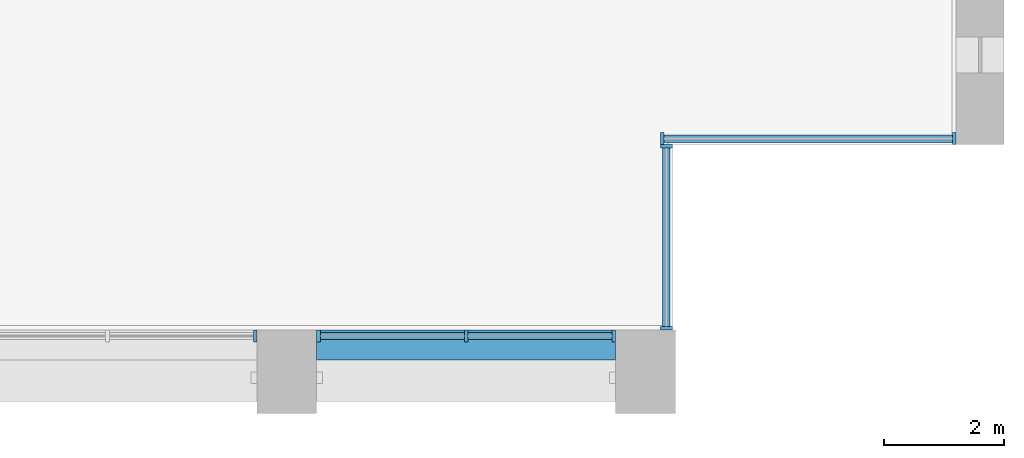
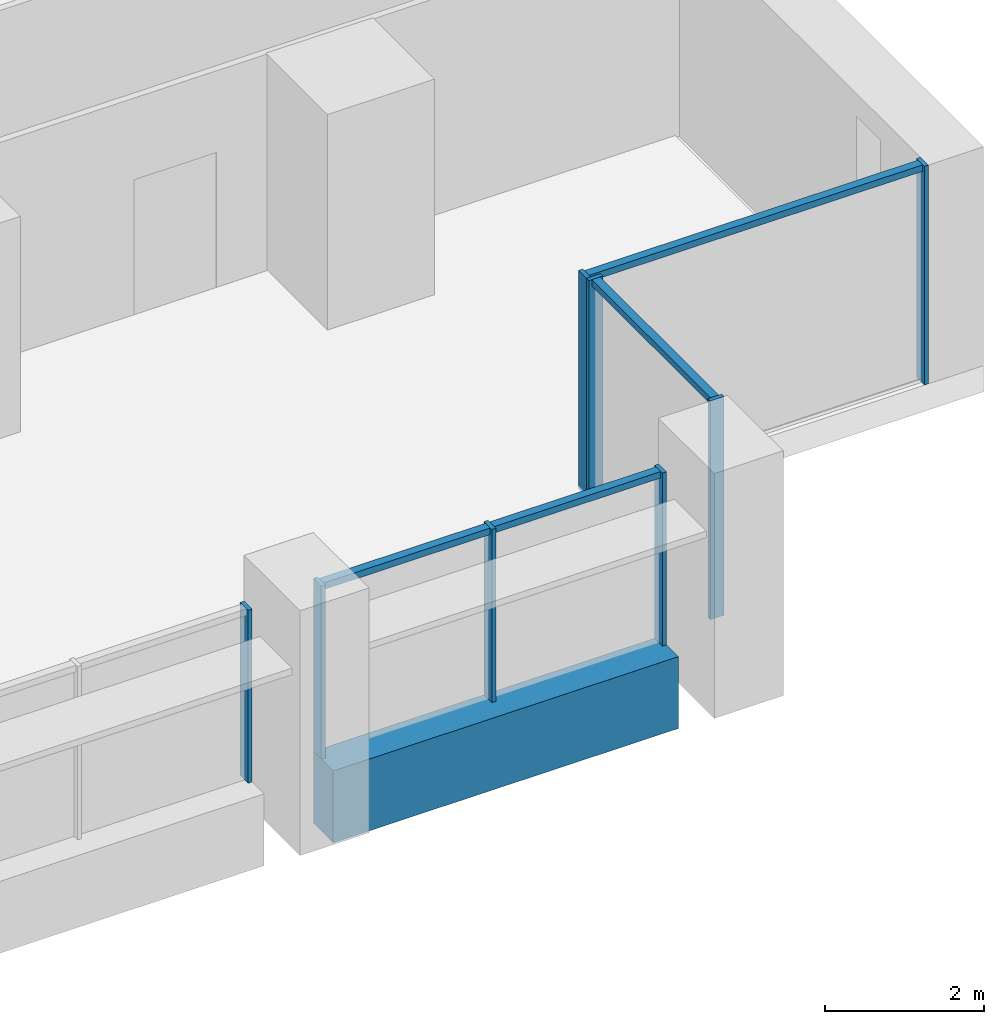
# One storey, part 5 of 17: 12 members, 1 beam, 4 elements without a shape of their own.
"""IFC4 building model written with IfcOpenShell, lengths in metres."""

from ifc_helpers import new_model, si_unit, direction, frame, origin, origin_2d, place, context, subcontext, project, spatial, rectangle, extrude, material, material_profile, profile_set, type_object, element, aggregate, save


model = new_model("IFC4")

# Units and contexts
model_context = context("Model", 3, precision=1e-05, world=origin(), true_north=direction((0.0, 1.0)))
body_context = subcontext(model_context, "Body", "Model", "MODEL_VIEW")
ifc_project = project(units=[si_unit("LENGTHUNIT", "METRE"), si_unit("AREAUNIT", "SQUARE_METRE"), si_unit("VOLUMEUNIT", "CUBIC_METRE"), si_unit("PLANEANGLEUNIT", "RADIAN"), si_unit("MASSUNIT", "GRAM", prefix="KILO")], contexts=[model_context])

# Site, building, storey
site_placement = place(None, origin())
site = spatial("IfcSite", under=ifc_project, at=site_placement, CompositionType="ELEMENT")
building_placement = place(site_placement, origin())
building = spatial("IfcBuilding", under=site, at=building_placement, Name="Calvaro Tower", CompositionType="ELEMENT")
storey_placement = place(building_placement, frame((0.0, 0.0, 75.0)))
storey = spatial("IfcBuildingStorey", under=building, at=storey_placement, Name="L18", CompositionType="ELEMENT", Elevation=75.0)

# Curtain wall, member
ifc_material_1 = material(Name="Anodised aluminium", Category="aluminium")
curtain_wall_type = type_object("IfcCurtainWallType", Name="Office curtain wall, lower zone", PredefinedType="NOTDEFINED", material=ifc_material_1)
curtain_wall_1_placement = place(storey_placement, origin())
curtain_wall_1 = element("IfcCurtainWall", 1, at=curtain_wall_1_placement, inside=storey, type_object=curtain_wall_type, Name="CW1 south curtain wall", PredefinedType="NOTDEFINED")
ifc_material_2 = material(Name="Anodised aluminium", Category="aluminium")
ifc_material_profile_1 = material_profile(ifc_material_2, rectangle(XDim=0.199951171875, YDim=0.06005859375, at=origin_2d()), Name="Mullion S1 60 x 200")
ifc_profile_set_1 = profile_set([ifc_material_profile_1], Name="Anodised aluminium")
member_type_1 = type_object("IfcMemberType", Name="Mullion S1 60 x 200", PredefinedType="MULLION", material=ifc_profile_set_1)
member_1_placement = place(storey_placement, frame((65.469970703125, 1.300048828125, 0.0), z_axis=(0.0, 0.0, 1.0), x_axis=(0.0, 1.0, 0.0)))
member_1 = element("IfcMember", 2, at=member_1_placement, type_object=member_type_1, Name="CW1 mullion 3", PredefinedType="MULLION", context=body_context, shape_type="SweptSolid", body=[
    extrude(rectangle(XDim=0.199951171875, YDim=0.06005859375, at=origin_2d()), origin(), (0.0, 0.0, 1.0), 2.64990234375),
])
aggregate(curtain_wall_1, [member_1])

# Curtain wall, members
curtain_wall_2_placement = place(storey_placement, origin())
curtain_wall_2 = element("IfcCurtainWall", 3, at=curtain_wall_2_placement, inside=storey, type_object=curtain_wall_type, Name="CW1 south curtain wall", PredefinedType="NOTDEFINED")
member_2_placement = place(storey_placement, frame((66.530029296875, 1.300048828125, 0.0), z_axis=(0.0, 0.0, 1.0), x_axis=(0.0, 1.0, 0.0)))
member_2 = element("IfcMember", 4, at=member_2_placement, type_object=member_type_1, Name="CW1 mullion 1", PredefinedType="MULLION", context=body_context, shape_type="SweptSolid", body=[
    extrude(rectangle(XDim=0.199951171875, YDim=0.06005859375, at=origin_2d()), origin(), (0.0, 0.0, 1.0), 2.64990234375),
])
member_3_placement = place(storey_placement, frame((69.0, 1.300048828125, 0.0), z_axis=(0.0, 0.0, 1.0), x_axis=(0.0, 1.0, 0.0)))
member_3 = element("IfcMember", 5, at=member_3_placement, type_object=member_type_1, Name="CW1 mullion 2", PredefinedType="MULLION", context=body_context, shape_type="SweptSolid", body=[
    extrude(rectangle(XDim=0.199951171875, YDim=0.06005859375, at=origin_2d()), origin(), (0.0, 0.0, 1.0), 2.64990234375),
])
member_4_placement = place(storey_placement, frame((71.469970703125, 1.300048828125, 0.0), z_axis=(0.0, 0.0, 1.0), x_axis=(0.0, 1.0, 0.0)))
member_4 = element("IfcMember", 6, at=member_4_placement, type_object=member_type_1, Name="CW1 mullion 3", PredefinedType="MULLION", context=body_context, shape_type="SweptSolid", body=[
    extrude(rectangle(XDim=0.199951171875, YDim=0.06005859375, at=origin_2d()), origin(), (0.0, 0.0, 1.0), 2.64990234375),
])

curtain_wall_3_placement = place(storey_placement, origin())
curtain_wall_3 = element("IfcCurtainWall", 7, at=curtain_wall_3_placement, inside=storey, type_object=curtain_wall_type, Name="CW1 corner curtain wall", PredefinedType="NOTDEFINED")
member_5_placement = place(storey_placement, frame((72.35009765625, 1.429931640625, 0.0), z_axis=(0.0, 0.0, 1.0), x_axis=(-1.0, 0.0, 0.0)))
member_5 = element("IfcMember", 8, at=member_5_placement, type_object=member_type_1, Name="CW1 mullion 1", PredefinedType="MULLION", context=body_context, shape_type="SweptSolid", body=[
    extrude(rectangle(XDim=0.199951171875, YDim=0.06005859375, at=origin_2d()), origin(), (0.0, 0.0, 1.0), 3.35009765625),
])
member_6_placement = place(storey_placement, frame((72.35009765625, 4.469970703125, 0.0), z_axis=(0.0, 0.0, 1.0), x_axis=(-1.0, 0.0, 0.0)))
member_6 = element("IfcMember", 9, at=member_6_placement, type_object=member_type_1, Name="CW1 mullion 2", PredefinedType="MULLION", context=body_context, shape_type="SweptSolid", body=[
    extrude(rectangle(XDim=0.199951171875, YDim=0.06005859375, at=origin_2d()), origin(), (0.0, 0.0, 1.0), 3.35009765625),
])

curtain_wall_4_placement = place(storey_placement, origin())
curtain_wall_4 = element("IfcCurtainWall", 10, at=curtain_wall_4_placement, inside=storey, type_object=curtain_wall_type, Name="CW1 corner curtain wall", PredefinedType="NOTDEFINED")
member_7_placement = place(storey_placement, frame((72.280029296875, 4.60009765625, 0.0), z_axis=(0.0, 0.0, 1.0), x_axis=(0.0, 1.0, 0.0)))
member_7 = element("IfcMember", 11, at=member_7_placement, type_object=member_type_1, Name="CW1 mullion 1", PredefinedType="MULLION", context=body_context, shape_type="SweptSolid", body=[
    extrude(rectangle(XDim=0.199951171875, YDim=0.06005859375, at=origin_2d()), origin(), (0.0, 0.0, 1.0), 3.35009765625),
])
member_8_placement = place(storey_placement, frame((77.169921875, 4.60009765625, 0.0), z_axis=(0.0, 0.0, 1.0), x_axis=(0.0, 1.0, 0.0)))
member_8 = element("IfcMember", 12, at=member_8_placement, type_object=member_type_1, Name="CW1 mullion 2", PredefinedType="MULLION", context=body_context, shape_type="SweptSolid", body=[
    extrude(rectangle(XDim=0.199951171875, YDim=0.06005859375, at=origin_2d()), origin(), (0.0, 0.0, 1.0), 3.35009765625),
])

# Beam
ifc_material_3 = material(Name="Concrete C50/60 precast", Category="concrete")
ifc_material_profile_2 = material_profile(ifc_material_3, rectangle(XDim=0.5, YDim=1.10009765625, at=origin_2d()), Name="RC 500x1100")
ifc_profile_set_2 = profile_set([ifc_material_profile_2], Name="Concrete C50/60 precast")
beam_type = type_object("IfcBeamType", Name="Spandrel beam 500x1100 C50/60", PredefinedType="SPANDREL", material=ifc_profile_set_2)
beam_placement = place(storey_placement, frame((66.5, 1.14990234375, -0.550048828125), z_axis=(1.0, 0.0, 0.0), x_axis=(0.0, 1.0, 0.0)))
element("IfcBeam", 13, at=beam_placement, inside=storey, type_object=beam_type, Name="Spandrel beam", PredefinedType="SPANDREL", context=body_context, shape_type="SweptSolid", body=[
    extrude(rectangle(XDim=0.5, YDim=1.10009765625, at=origin_2d()), origin(), (0.0, 0.0, 1.0), 5.0),
])

# Member
ifc_material_4 = material(Name="Anodised aluminium", Category="aluminium")
ifc_material_profile_3 = material_profile(ifc_material_4, rectangle(XDim=0.1201171875, YDim=0.10009765625, at=origin_2d()), Name="Transom S1 100 x 120")
ifc_profile_set_3 = profile_set([ifc_material_profile_3], Name="Anodised aluminium")
member_type_2 = type_object("IfcMemberType", Name="Transom S1 100 x 120", PredefinedType="USERDEFINED", material=ifc_profile_set_3)
member_9_placement = place(storey_placement, frame((66.56005859375, 1.300048828125, 2.60009765625), z_axis=(1.0, 0.0, 0.0), x_axis=(0.0, 1.0, 0.0)))
member_9 = element("IfcMember", 14, at=member_9_placement, type_object=member_type_2, Name="CW1 transom 1.1", ObjectType="TRANSOM", PredefinedType="USERDEFINED", context=body_context, shape_type="SweptSolid", body=[
    extrude(rectangle(XDim=0.1201171875, YDim=0.10009765625, at=origin_2d()), origin(), (0.0, 0.0, 1.0), 2.409912109375),
])

member_10_placement = place(storey_placement, frame((69.030029296875, 1.300048828125, 2.60009765625), z_axis=(1.0, 0.0, 0.0), x_axis=(0.0, 1.0, 0.0)))
member_10 = element("IfcMember", 15, at=member_10_placement, type_object=member_type_2, Name="CW1 transom 2.1", ObjectType="TRANSOM", PredefinedType="USERDEFINED", context=body_context, shape_type="SweptSolid", body=[
    extrude(rectangle(XDim=0.1201171875, YDim=0.10009765625, at=origin_2d()), origin(), (0.0, 0.0, 1.0), 2.409912109375),
])

aggregate(curtain_wall_2, [member_2, member_3, member_4, member_9, member_10])

member_11_placement = place(storey_placement, frame((72.35009765625, 1.4599609375, 3.300048828125), z_axis=(0.0, 1.0, 0.0), x_axis=(-1.0, 0.0, 0.0)))
member_11 = element("IfcMember", 16, at=member_11_placement, type_object=member_type_2, Name="CW1 transom 1.1", ObjectType="TRANSOM", PredefinedType="USERDEFINED", context=body_context, shape_type="SweptSolid", body=[
    extrude(rectangle(XDim=0.1201171875, YDim=0.10009765625, at=origin_2d()), origin(), (0.0, 0.0, 1.0), 2.97998046875),
])

aggregate(curtain_wall_3, [member_5, member_6, member_11])

member_12_placement = place(storey_placement, frame((72.31005859375, 4.60009765625, 3.300048828125), z_axis=(1.0, 0.0, 0.0), x_axis=(0.0, 1.0, 0.0)))
member_12 = element("IfcMember", 17, at=member_12_placement, type_object=member_type_2, Name="CW1 transom 1.1", ObjectType="TRANSOM", PredefinedType="USERDEFINED", context=body_context, shape_type="SweptSolid", body=[
    extrude(rectangle(XDim=0.1201171875, YDim=0.10009765625, at=origin_2d()), origin(), (0.0, 0.0, 1.0), 4.829833984375),
])

aggregate(curtain_wall_4, [member_7, member_8, member_12])

save(model, "model.ifc")
